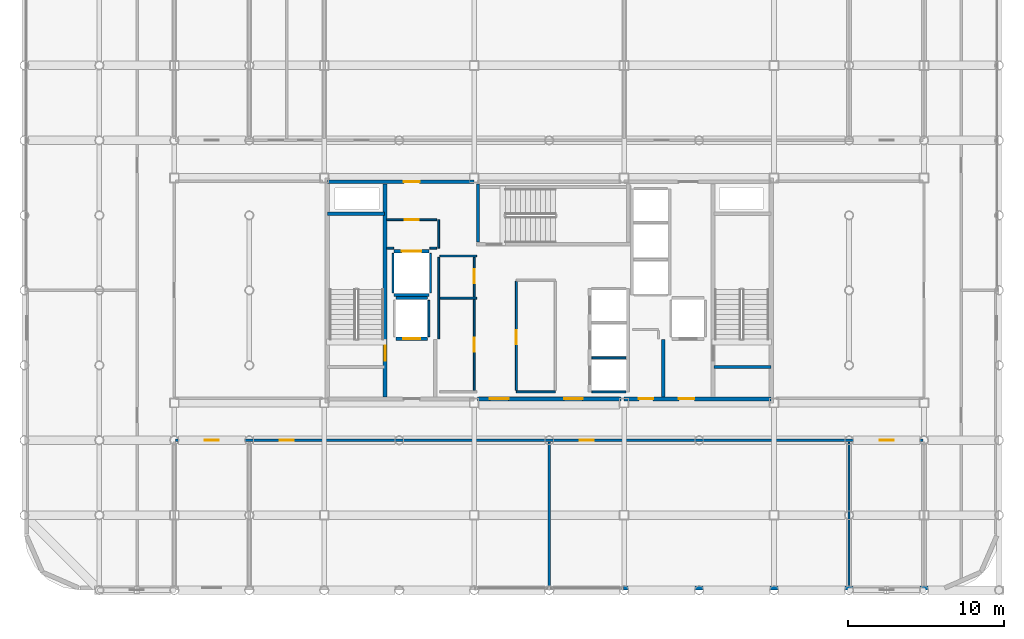
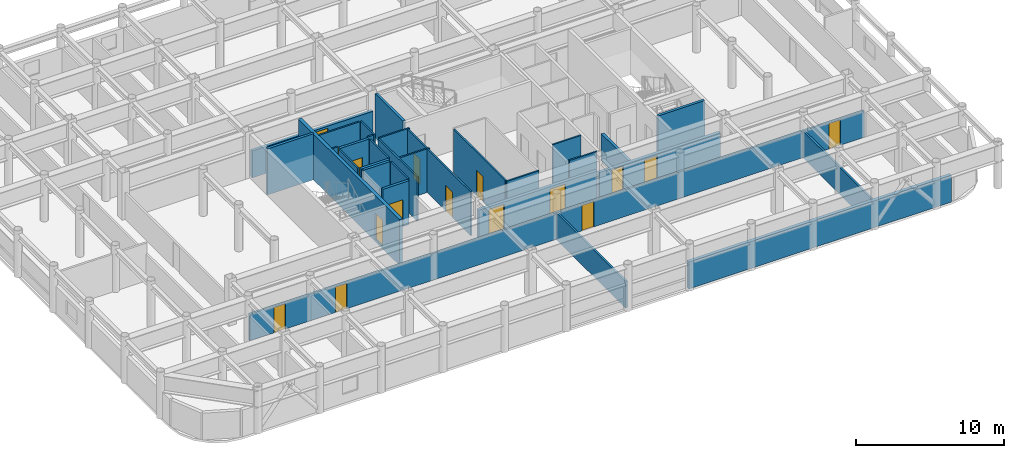
# One storey, part 18 of 21: 31 walls, 16 doors, 16 openings.
"""IFC4 building model written with IfcOpenShell, lengths in metres."""

from ifc_helpers import new_model, si_unit, direction, frame, frame_2d, origin, place, context, subcontext, project, spatial, rectangle, extrude, material, layer, layer_set, type_object, element, fill, save


model = new_model("IFC4")

# Units and contexts
model_context = context("Model", 3, precision=1e-05, world=origin(), true_north=direction((0.0, 1.0)))
body_context = subcontext(model_context, "Body", "Model", "MODEL_VIEW")
ifc_project = project(units=[si_unit("LENGTHUNIT", "METRE"), si_unit("AREAUNIT", "SQUARE_METRE"), si_unit("VOLUMEUNIT", "CUBIC_METRE"), si_unit("PLANEANGLEUNIT", "RADIAN"), si_unit("MASSUNIT", "GRAM", prefix="KILO")], contexts=[model_context])

# Site, building, storey
site_placement = place(None, origin())
site = spatial("IfcSite", under=ifc_project, at=site_placement, CompositionType="ELEMENT")
building_placement = place(site_placement, origin())
building = spatial("IfcBuilding", under=site, at=building_placement, Name="Kallvorn Hotel Tower", CompositionType="ELEMENT")
storey_placement = place(building_placement, frame((0.0, 0.0, 272.35009765625)))
storey = spatial("IfcBuildingStorey", under=building, at=storey_placement, Name="L68", CompositionType="ELEMENT", Elevation=272.35009765625)

# Walls
ifc_material_1 = material(Name="Precast basalt-clad insulated concrete wall C40/50", Category="masonry")
ifc_layer_1 = layer(ifc_material_1, 0.280029296875)
ifc_layer_set_1 = layer_set([ifc_layer_1], Name="WL_EXT_LOGGIA_280")
wall_type_1 = type_object("IfcWallType", Name="WL_EXT_LOGGIA_280", PredefinedType="SOLIDWALL", material=ifc_layer_set_1)
wall_1_placement = place(storey_placement, frame((4.75, -19.06005859375, 0.0), z_axis=(0.0, 0.0, 1.0), x_axis=(1.0, 0.0, 0.0)))
element("IfcWall", 1, at=wall_1_placement, inside=storey, type_object=wall_type_1, Name="L68 Exterior Envelope Wall EW-L68-SE", PredefinedType="SOLIDWALL", context=body_context, shape_type="SweptSolid", body=[
    extrude(rectangle(XDim=20.449951171875, YDim=0.280029296875, at=frame_2d((10.22509765625, 0.0))), origin(), (0.0, 0.0, 1.0), 2.199951171875),
])
ifc_material_2 = material(Name="Concrete C40/50", Category="concrete")
ifc_layer_2 = layer(ifc_material_2, 0.219970703125)
ifc_layer_set_2 = layer_set([ifc_layer_2], Name="WL_FFL_220")
wall_type_2 = type_object("IfcWallType", Name="WL_FFL_220", PredefinedType="SOLIDWALL", material=ifc_layer_set_2)
wall_2_placement = place(storey_placement, frame((7.300048828125, -6.820068359375, 0.0), z_axis=(0.0, 0.0, 1.0), x_axis=(0.0, 1.0, 0.0)))
element("IfcWall", 2, at=wall_2_placement, inside=storey, type_object=wall_type_2, Name="L68 Firefighting Lobby East Divider Wall", PredefinedType="SOLIDWALL", context=body_context, shape_type="SweptSolid", body=[
    extrude(rectangle(XDim=3.670166015625, YDim=0.219970703125, at=frame_2d((1.8349609375, 0.0))), origin(), (0.0, 0.0, 1.0), 2.199951171875),
])
ifc_material_3 = material(Name="Concrete C40/50", Category="concrete")
ifc_layer_3 = layer(ifc_material_3, 0.199951171875)
ifc_layer_set_3 = layer_set([ifc_layer_3], Name="WL_HOIST_200")
wall_type_3 = type_object("IfcWallType", Name="WL_HOIST_200", PredefinedType="SOLIDWALL", material=ifc_layer_set_3)
for number, where, z_axis, x_axis, name in (
    (3, (-14.199951171875, 4.89990234375, -0.18017578125), (0.0, 0.0, 1.0), (1.0, 0.0, 0.0), "L68 Stair ST1 North Wall"),
    (4, (10.550048828125, -4.89990234375, -0.18017578125), (0.0, 0.0, 1.0), (1.0, 0.0, 0.0), "L68 Stair ST2 South Wall"),
):
    element("IfcWall", number, at=place(storey_placement, frame(where, z_axis=z_axis, x_axis=x_axis)), inside=storey, type_object=wall_type_3, Name=name, PredefinedType="SOLIDWALL", context=body_context, shape_type="SweptSolid", body=[
        extrude(rectangle(XDim=3.64990234375, YDim=0.199951171875, at=frame_2d((1.824951171875, 0.0))), origin(), (0.0, 0.0, 1.0), 3.780029296875),
    ])
wall_3_placement = place(storey_placement, frame((-4.550048828125, 3.080078125, -0.18017578125), z_axis=(0.0, 0.0, 1.0), x_axis=(0.0, 1.0, 0.0)))
element("IfcWall", 5, at=wall_3_placement, inside=storey, type_object=wall_type_3, Name="L68 Stair ST3 West Wall", PredefinedType="SOLIDWALL", context=body_context, shape_type="SweptSolid", body=[
    extrude(rectangle(XDim=3.739990234375, YDim=0.199951171875, at=frame_2d((1.8701171875, 0.0))), origin(), (0.0, 0.0, 1.0), 3.780029296875),
])

# Wall, opening, door
wall_4_placement = place(storey_placement, frame((-9.820068359375, -3.10009765625, 0.0), z_axis=(0.0, 0.0, 1.0), x_axis=(1.0, 0.0, 0.0)))
wall_4 = element("IfcWall", 6, at=wall_4_placement, inside=storey, type_object=wall_type_3, Name="L68 FL-1 Landing Wall", PredefinedType="SOLIDWALL", context=body_context, shape_type="SweptSolid", body=[
    extrude(rectangle(XDim=2.0400390625, YDim=0.199951171875, at=frame_2d((1.02001953125, 0.0))), origin(), (0.0, 0.0, 1.0), 3.599853515625),
])
opening_1_placement = place(wall_4_placement, frame((0.469970703125, 0.0, 0.0)))
opening_1 = element("IfcOpeningElement", 7, at=opening_1_placement, cuts=wall_4, Name="Opening LD-FL-1", PredefinedType="OPENING", context=body_context, shape_type="SweptSolid", body=[
    extrude(rectangle(XDim=1.10009765625, YDim=2.199951171875, at=frame_2d((0.550048828125, 1.10009765625))), frame((0.0, 0.114990234375, 0.0), z_axis=(0.0, -1.0, 0.0), x_axis=(1.0, 0.0, 0.0)), (0.0, 0.0, 1.0), 0.22998046875),
])
ifc_material_4 = material(Name="Brushed stainless-steel automatic sliding lift landing door", Category="steel")
door_type_1 = type_object("IfcDoorType", Name="LD_PASS_1100x2200", OperationType="SLIDING_TO_LEFT", PredefinedType="DOOR", material=ifc_material_4)
door_1_placement = place(opening_1_placement, origin())
door_1 = element("IfcDoor", 8, at=door_1_placement, inside=storey, type_object=door_type_1, Name="L68 Lift Landing Sliding Door LD-FL-1", OperationType="SLIDING_TO_LEFT", OverallHeight=2.199951171875, OverallWidth=1.10009765625, PredefinedType="DOOR", context=body_context, shape_type="SweptSolid", body=[
    extrude(rectangle(XDim=1.10009765625, YDim=2.199951171875, at=frame_2d((0.550048828125, 1.10009765625))), frame((0.0, 0.02490234375, 0.0), z_axis=(0.0, -1.0, 0.0), x_axis=(1.0, 0.0, 0.0)), (0.0, 0.0, 1.0), 0.050048828125),
])
fill(opening_1, door_1)

# Wall
wall_5_placement = place(storey_placement, frame((-9.820068359375, -0.5, 0.0), z_axis=(0.0, 0.0, 1.0), x_axis=(1.0, 0.0, 0.0)))
element("IfcWall", 9, at=wall_5_placement, inside=storey, type_object=wall_type_3, Name="L68 FL-1 Rear Shaft Wall", PredefinedType="SOLIDWALL", context=body_context, shape_type="SweptSolid", body=[
    extrude(rectangle(XDim=2.0400390625, YDim=0.199951171875, at=frame_2d((1.02001953125, 0.0))), origin(), (0.0, 0.0, 1.0), 3.599853515625),
])

# Wall, opening, door
wall_6_placement = place(storey_placement, frame((-9.919921875, 2.5, 0.0), z_axis=(0.0, 0.0, 1.0), x_axis=(1.0, 0.0, 0.0)))
wall_6 = element("IfcWall", 10, at=wall_6_placement, inside=storey, type_object=wall_type_3, Name="L68 SV-01 Landing Wall", PredefinedType="SOLIDWALL", context=body_context, shape_type="SweptSolid", body=[
    extrude(rectangle(XDim=2.239990234375, YDim=0.199951171875, at=frame_2d((1.1201171875, 0.0))), origin(), (0.0, 0.0, 1.0), 3.599853515625),
])
opening_2_placement = place(wall_6_placement, frame((0.4951171875, 0.0, 0.0)))
opening_2 = element("IfcOpeningElement", 11, at=opening_2_placement, cuts=wall_6, Name="Opening LD-SV-01", PredefinedType="OPENING", context=body_context, shape_type="SweptSolid", body=[
    extrude(rectangle(XDim=1.25, YDim=2.25, at=frame_2d((0.625, 1.125))), frame((0.0, 0.114990234375, 0.0), z_axis=(0.0, -1.0, 0.0), x_axis=(1.0, 0.0, 0.0)), (0.0, 0.0, 1.0), 0.22998046875),
])
ifc_material_5 = material(Name="Brushed stainless-steel automatic sliding lift landing door", Category="steel")
door_type_2 = type_object("IfcDoorType", Name="LD_SERV_1250x2250", OperationType="SLIDING_TO_LEFT", PredefinedType="DOOR", material=ifc_material_5)
door_2_placement = place(opening_2_placement, origin())
door_2 = element("IfcDoor", 12, at=door_2_placement, inside=storey, type_object=door_type_2, Name="L68 Lift Landing Sliding Door LD-SV-01", OperationType="SLIDING_TO_LEFT", OverallHeight=2.25, OverallWidth=1.25, PredefinedType="DOOR", context=body_context, shape_type="SweptSolid", body=[
    extrude(rectangle(XDim=1.25, YDim=2.25, at=frame_2d((0.625, 1.125))), frame((0.0, 0.02490234375, 0.0), z_axis=(0.0, -1.0, 0.0), x_axis=(1.0, 0.0, 0.0)), (0.0, 0.0, 1.0), 0.050048828125),
])
fill(opening_2, door_2)

# Walls
wall_7_placement = place(storey_placement, frame((-9.919921875, -0.300048828125, 0.0), z_axis=(0.0, 0.0, 1.0), x_axis=(1.0, 0.0, 0.0)))
element("IfcWall", 13, at=wall_7_placement, inside=storey, type_object=wall_type_3, Name="L68 SV-01 Rear Shaft Wall", PredefinedType="SOLIDWALL", context=body_context, shape_type="SweptSolid", body=[
    extrude(rectangle(XDim=2.239990234375, YDim=0.199951171875, at=frame_2d((1.1201171875, 0.0))), origin(), (0.0, 0.0, 1.0), 3.599853515625),
])
ifc_material_6 = material(Name="Fire-rated double-layer acoustic gypsum drywall EI 60")
ifc_layer_4 = layer(ifc_material_6, 0.1201171875)
ifc_layer_set_4 = layer_set([ifc_layer_4], Name="WL_INT_120")
wall_type_4 = type_object("IfcWallType", Name="WL_INT_120", PredefinedType="PARTITIONING", material=ifc_layer_set_4)
for number, where, z_axis, x_axis, name in (
    (14, (2.739990234375, -6.5, 0.0), (0.0, 0.0, 1.0), (1.0, 0.0, 0.0), "L68 Lift Bank B3A South Closure Wall"),
    (15, (2.739990234375, -4.324951171875, 0.0), (0.0, 0.0, 1.0), (1.0, 0.0, 0.0), "L68 PL-09 Hoistway Divider"),
):
    element("IfcWall", number, at=place(storey_placement, frame(where, z_axis=z_axis, x_axis=x_axis)), inside=storey, type_object=wall_type_4, Name=name, PredefinedType="PARTITIONING", context=body_context, shape_type="SweptSolid", body=[
        extrude(rectangle(XDim=2.169921875, YDim=0.1201171875, at=frame_2d((1.0849609375, 0.0))), origin(), (0.0, 0.0, 1.0), 3.599853515625),
    ])
wall_8_placement = place(storey_placement, frame((-7.699951171875, -2.9599609375, 0.0), z_axis=(0.0, 0.0, 1.0), x_axis=(0.0, 1.0, 0.0)))
element("IfcWall", 16, at=wall_8_placement, inside=storey, type_object=wall_type_4, Name="L68 FL-1 East Shaft Wall", PredefinedType="PARTITIONING", context=body_context, shape_type="SweptSolid", body=[
    extrude(rectangle(XDim=2.320068359375, YDim=0.1201171875, at=frame_2d((1.16015625, 0.0))), origin(), (0.0, 0.0, 1.0), 3.599853515625),
])
for number, where, z_axis, x_axis, name in (
    (17, (-10.0, -0.159912109375, 0.0), (0.0, 0.0, 1.0), (0.0, 1.0, 0.0), "L68 SV-01 West Shaft Wall"),
    (18, (-7.60009765625, -0.159912109375, 0.0), (0.0, 0.0, 1.0), (0.0, 1.0, 0.0), "L68 SV-01 East Shaft Wall"),
):
    element("IfcWall", number, at=place(storey_placement, frame(where, z_axis=z_axis, x_axis=x_axis)), inside=storey, type_object=wall_type_4, Name=name, PredefinedType="PARTITIONING", context=body_context, shape_type="SweptSolid", body=[
        extrude(rectangle(XDim=2.52001953125, YDim=0.1201171875, at=frame_2d((1.260009765625, 0.0))), origin(), (0.0, 0.0, 1.0), 3.599853515625),
    ])
wall_9_placement = place(storey_placement, frame((-2.10009765625, -6.5, 0.0), z_axis=(0.0, 0.0, 1.0), x_axis=(1.0, 0.0, 0.0)))
element("IfcWall", 19, at=wall_9_placement, inside=storey, type_object=wall_type_4, Name="L68 High-Zone IT and Tableware Reserve Room Partition", PredefinedType="PARTITIONING", context=body_context, shape_type="SweptSolid", body=[
    extrude(rectangle(XDim=2.5, YDim=0.1201171875, at=frame_2d((1.25, 0.0))), origin(), (0.0, 0.0, 1.0), 3.599853515625),
])
for number, where, z_axis, x_axis, name in (
    (20, (-7.0, -0.5, 0.0), (0.0, 0.0, 1.0), (1.0, 0.0, 0.0), "L68 Recaptured Full-Depth Sommelier Store Partition"),
    (21, (-7.0, 2.199951171875, 0.0), (0.0, 0.0, 1.0), (1.0, 0.0, 0.0), "L68 Recaptured Housekeeping Prep Room Partition"),
):
    element("IfcWall", number, at=place(storey_placement, frame(where, z_axis=z_axis, x_axis=x_axis)), inside=storey, type_object=wall_type_4, Name=name, PredefinedType="PARTITIONING", context=body_context, shape_type="SweptSolid", body=[
        extrude(rectangle(XDim=2.35009765625, YDim=0.1201171875, at=frame_2d((1.175048828125, 0.0))), origin(), (0.0, 0.0, 1.0), 3.599853515625),
    ])
for number, where, z_axis, x_axis, name in (
    (22, (-10.39990234375, 2.699951171875, 0.0), (0.0, 0.0, 1.0), (1.0, 0.0, 0.0), "L68 Core Telecom and Metering Store Partition"),
    (23, (-7.639892578125, 2.699951171875, 0.0), (0.0, 0.0, 1.0), (1.0, 0.0, 0.0), "L68 Core Telecom and Metering Store Partition"),
):
    element("IfcWall", number, at=place(storey_placement, frame(where, z_axis=z_axis, x_axis=x_axis)), inside=storey, type_object=wall_type_4, Name=name, PredefinedType="PARTITIONING", context=body_context, shape_type="SweptSolid", body=[
        extrude(rectangle(XDim=0.43994140625, YDim=0.1201171875, at=frame_2d((0.219970703125, 0.0))), origin(), (0.0, 0.0, 1.0), 3.599853515625),
    ])

# Wall, opening, door
wall_10_placement = place(storey_placement, frame((-10.39990234375, 4.52001953125, 0.0), z_axis=(0.0, 0.0, 1.0), x_axis=(1.0, 0.0, 0.0)))
wall_10 = element("IfcWall", 24, at=wall_10_placement, inside=storey, type_object=wall_type_4, Name="L68 Core Telecom and Metering Store Partition", PredefinedType="PARTITIONING", context=body_context, shape_type="SweptSolid", body=[
    extrude(rectangle(XDim=3.199951171875, YDim=0.1201171875, at=frame_2d((1.60009765625, 0.0))), origin(), (0.0, 0.0, 1.0), 3.599853515625),
])
opening_3_placement = place(wall_10_placement, frame((1.14990234375, 0.0, 0.0)))
opening_3 = element("IfcOpeningElement", 25, at=opening_3_placement, cuts=wall_10, Name="Opening SVD1", PredefinedType="OPENING", context=body_context, shape_type="SweptSolid", body=[
    extrude(rectangle(XDim=0.89990234375, YDim=2.10009765625, at=frame_2d((0.449951171875, 1.050048828125))), frame((0.0, 0.074951171875, 0.0), z_axis=(0.0, -1.0, 0.0), x_axis=(1.0, 0.0, 0.0)), (0.0, 0.0, 1.0), 0.150146484375),
])
ifc_material_7 = material(Name="Galvanised painted steel fire-rated door assembly", Category="steel")
door_type_3 = type_object("IfcDoorType", Name="DR_SERV_900x2100", OperationType="NOTDEFINED", PredefinedType="DOOR", material=ifc_material_7)
door_3_placement = place(opening_3_placement, origin())
door_3 = element("IfcDoor", 26, at=door_3_placement, inside=storey, type_object=door_type_3, Name="L68 Core Telecom and Metering Store Door", OperationType="SINGLE_SWING_LEFT", OverallHeight=2.10009765625, OverallWidth=0.89990234375, PredefinedType="DOOR", context=body_context, shape_type="SweptSolid", body=[
    extrude(rectangle(XDim=0.89990234375, YDim=2.10009765625, at=frame_2d((0.449951171875, 1.050048828125))), frame((0.0, 0.02490234375, 0.0), z_axis=(0.0, -1.0, 0.0), x_axis=(1.0, 0.0, 0.0)), (0.0, 0.0, 1.0), 0.050048828125),
])
fill(opening_3, door_3)

# Walls
wall_11_placement = place(storey_placement, frame((-7.066650390625, -3.110107421875, 0.0), z_axis=(0.0, 0.0, 1.0), x_axis=(0.0, 1.0, 0.0)))
element("IfcWall", 27, at=wall_11_placement, inside=storey, type_object=wall_type_4, Name="L68 Recaptured Full-Depth Sommelier Store Partition", PredefinedType="PARTITIONING", context=body_context, shape_type="SweptSolid", body=[
    extrude(rectangle(XDim=5.22509765625, YDim=0.1201171875, at=frame_2d((2.612548828125, 0.0))), origin(), (0.0, 0.0, 1.0), 3.599853515625),
])
wall_12_placement = place(storey_placement, frame((-7.066650390625, 2.699951171875, 0.0), z_axis=(0.0, 0.0, 1.0), x_axis=(0.0, 1.0, 0.0)))
element("IfcWall", 28, at=wall_12_placement, inside=storey, type_object=wall_type_4, Name="L68 Core Telecom and Metering Store Partition", PredefinedType="PARTITIONING", context=body_context, shape_type="SweptSolid", body=[
    extrude(rectangle(XDim=1.820068359375, YDim=0.1201171875, at=frame_2d((0.91015625, 0.0))), origin(), (0.0, 0.0, 1.0), 3.599853515625),
])

# Wall, openings, doors
wall_13_placement = place(storey_placement, frame((-4.800048828125, -6.4150390625, 0.0), z_axis=(0.0, 0.0, 1.0), x_axis=(0.0, 1.0, 0.0)))
wall_13 = element("IfcWall", 29, at=wall_13_placement, inside=storey, type_object=wall_type_4, Name="L68 Recaptured Full-Depth Sommelier Store Partition", PredefinedType="PARTITIONING", context=body_context, shape_type="SweptSolid", body=[
    extrude(rectangle(XDim=8.530029296875, YDim=0.1201171875, at=frame_2d((4.26513671875, 0.0))), origin(), (0.0, 0.0, 1.0), 3.599853515625),
])
opening_4_placement = place(wall_13_placement, frame((2.465087890625, 0.0, 0.0)))
opening_4 = element("IfcOpeningElement", 30, at=opening_4_placement, cuts=wall_13, Name="Opening SVD1", PredefinedType="OPENING", context=body_context, shape_type="SweptSolid", body=[
    extrude(rectangle(XDim=0.89990234375, YDim=2.10009765625, at=frame_2d((0.449951171875, 1.050048828125))), frame((0.0, 0.074951171875, 0.0), z_axis=(0.0, -1.0, 0.0), x_axis=(1.0, 0.0, 0.0)), (0.0, 0.0, 1.0), 0.150146484375),
])
opening_5_placement = place(wall_13_placement, frame((6.864990234375, 0.0, 0.0)))
opening_5 = element("IfcOpeningElement", 31, at=opening_5_placement, cuts=wall_13, Name="Opening SVD1", PredefinedType="OPENING", context=body_context, shape_type="SweptSolid", body=[
    extrude(rectangle(XDim=0.89990234375, YDim=2.10009765625, at=frame_2d((0.449951171875, 1.050048828125))), frame((0.0, 0.074951171875, 0.0), z_axis=(0.0, -1.0, 0.0), x_axis=(1.0, 0.0, 0.0)), (0.0, 0.0, 1.0), 0.150146484375),
])
door_4_placement = place(opening_4_placement, origin())
door_4 = element("IfcDoor", 32, at=door_4_placement, inside=storey, type_object=door_type_3, Name="L68 Recaptured Full-Depth Sommelier Store Door", OperationType="SINGLE_SWING_LEFT", OverallHeight=2.10009765625, OverallWidth=0.89990234375, PredefinedType="DOOR", context=body_context, shape_type="SweptSolid", body=[
    extrude(rectangle(XDim=0.89990234375, YDim=2.10009765625, at=frame_2d((0.449951171875, 1.050048828125))), frame((0.0, 0.02490234375, 0.0), z_axis=(0.0, -1.0, 0.0), x_axis=(1.0, 0.0, 0.0)), (0.0, 0.0, 1.0), 0.050048828125),
])
fill(opening_4, door_4)
door_5_placement = place(opening_5_placement, origin())
door_5 = element("IfcDoor", 33, at=door_5_placement, inside=storey, type_object=door_type_3, Name="L68 Recaptured Housekeeping Prep Room Door", OperationType="SINGLE_SWING_RIGHT", OverallHeight=2.10009765625, OverallWidth=0.89990234375, PredefinedType="DOOR", context=body_context, shape_type="SweptSolid", body=[
    extrude(rectangle(XDim=0.89990234375, YDim=2.10009765625, at=frame_2d((0.449951171875, 1.050048828125))), frame((0.0, 0.02490234375, 0.0), z_axis=(0.0, -1.0, 0.0), x_axis=(1.0, 0.0, 0.0)), (0.0, 0.0, 1.0), 0.050048828125),
])
fill(opening_5, door_5)

# Wall, opening, door
wall_14_placement = place(storey_placement, frame((-2.10009765625, -6.4150390625, 0.0), z_axis=(0.0, 0.0, 1.0), x_axis=(0.0, 1.0, 0.0)))
wall_14 = element("IfcWall", 34, at=wall_14_placement, inside=storey, type_object=wall_type_4, Name="L68 High-Zone IT and Tableware Reserve Room Partition", PredefinedType="PARTITIONING", context=body_context, shape_type="SweptSolid", body=[
    extrude(rectangle(XDim=6.97998046875, YDim=0.1201171875, at=frame_2d((3.489990234375, 0.0))), origin(), (0.0, 0.0, 1.0), 3.599853515625),
])
opening_6_placement = place(wall_14_placement, frame((2.965087890625, 0.0, 0.0)))
opening_6 = element("IfcOpeningElement", 35, at=opening_6_placement, cuts=wall_14, Name="Opening SVD1", PredefinedType="OPENING", context=body_context, shape_type="SweptSolid", body=[
    extrude(rectangle(XDim=0.89990234375, YDim=2.10009765625, at=frame_2d((0.449951171875, 1.050048828125))), frame((0.0, 0.074951171875, 0.0), z_axis=(0.0, -1.0, 0.0), x_axis=(1.0, 0.0, 0.0)), (0.0, 0.0, 1.0), 0.150146484375),
])
door_6_placement = place(opening_6_placement, origin())
door_6 = element("IfcDoor", 36, at=door_6_placement, inside=storey, type_object=door_type_3, Name="L68 High-Zone IT and Tableware Reserve Room Door", OperationType="SINGLE_SWING_LEFT", OverallHeight=2.10009765625, OverallWidth=0.89990234375, PredefinedType="DOOR", context=body_context, shape_type="SweptSolid", body=[
    extrude(rectangle(XDim=0.89990234375, YDim=2.10009765625, at=frame_2d((0.449951171875, 1.050048828125))), frame((0.0, 0.02490234375, 0.0), z_axis=(0.0, -1.0, 0.0), x_axis=(1.0, 0.0, 0.0)), (0.0, 0.0, 1.0), 0.050048828125),
])
fill(opening_6, door_6)

# Wall, openings, doors
ifc_material_8 = material(Name="Fire-rated double-layer acoustic gypsum drywall EI 60")
ifc_layer_5 = layer(ifc_material_8, 0.14990234375)
ifc_layer_set_5 = layer_set([ifc_layer_5], Name="WL_PART_150")
wall_type_5 = type_object("IfcWallType", Name="WL_PART_150", PredefinedType="PARTITIONING", material=ifc_layer_set_5)
wall_15_placement = place(storey_placement, frame((-23.919921875, -9.60009765625, 0.0), z_axis=(0.0, 0.0, 1.0), x_axis=(1.0, 0.0, 0.0)))
wall_15 = element("IfcWall", 37, at=wall_15_placement, inside=storey, type_object=wall_type_5, Name="L68 L68 High-Zone South-West Tea Bar Partition", PredefinedType="PARTITIONING", context=body_context, shape_type="SweptSolid", body=[
    extrude(rectangle(XDim=47.83984375, YDim=0.14990234375, at=frame_2d((23.919921875, 0.0))), origin(), (0.0, 0.0, 1.0), 2.199951171875),
])
opening_7_placement = place(wall_15_placement, frame((1.8701171875, 0.0, 0.0)))
opening_7 = element("IfcOpeningElement", 38, at=opening_7_placement, cuts=wall_15, Name="Opening SVD1", PredefinedType="OPENING", context=body_context, shape_type="SweptSolid", body=[
    extrude(rectangle(XDim=0.89990234375, YDim=2.10009765625, at=frame_2d((0.449951171875, 1.050048828125))), frame((0.0, 0.08984375, 0.0), z_axis=(0.0, -1.0, 0.0), x_axis=(1.0, 0.0, 0.0)), (0.0, 0.0, 1.0), 0.179931640625),
])
opening_8_placement = place(wall_15_placement, frame((45.070068359375, 0.0, 0.0)))
opening_8 = element("IfcOpeningElement", 39, at=opening_8_placement, cuts=wall_15, Name="Opening SVD1", PredefinedType="OPENING", context=body_context, shape_type="SweptSolid", body=[
    extrude(rectangle(XDim=0.89990234375, YDim=2.10009765625, at=frame_2d((0.449951171875, 1.050048828125))), frame((0.0, 0.08984375, 0.0), z_axis=(0.0, -1.0, 0.0), x_axis=(1.0, 0.0, 0.0)), (0.0, 0.0, 1.0), 0.179931640625),
])
opening_9_placement = place(wall_15_placement, frame((6.669921875, 0.0, 0.0)))
opening_9 = element("IfcOpeningElement", 40, at=opening_9_placement, cuts=wall_15, Name="Opening SVD1", PredefinedType="OPENING", context=body_context, shape_type="SweptSolid", body=[
    extrude(rectangle(XDim=0.89990234375, YDim=2.10009765625, at=frame_2d((0.449951171875, 1.050048828125))), frame((0.0, 0.08984375, 0.0), z_axis=(0.0, -1.0, 0.0), x_axis=(1.0, 0.0, 0.0)), (0.0, 0.0, 1.0), 0.179931640625),
])
opening_10_placement = place(wall_15_placement, frame((25.8701171875, 0.0, 0.0)))
opening_10 = element("IfcOpeningElement", 41, at=opening_10_placement, cuts=wall_15, Name="Opening SVD1", PredefinedType="OPENING", context=body_context, shape_type="SweptSolid", body=[
    extrude(rectangle(XDim=0.89990234375, YDim=2.10009765625, at=frame_2d((0.449951171875, 1.050048828125))), frame((0.0, 0.08984375, 0.0), z_axis=(0.0, -1.0, 0.0), x_axis=(1.0, 0.0, 0.0)), (0.0, 0.0, 1.0), 0.179931640625),
])
door_7_placement = place(opening_7_placement, origin())
door_7 = element("IfcDoor", 42, at=door_7_placement, inside=storey, type_object=door_type_3, Name="L68 L68 High-Zone South-West Tea Bar Door", OperationType="SINGLE_SWING_LEFT", OverallHeight=2.10009765625, OverallWidth=0.89990234375, PredefinedType="DOOR", context=body_context, shape_type="SweptSolid", body=[
    extrude(rectangle(XDim=0.89990234375, YDim=2.10009765625, at=frame_2d((0.449951171875, 1.050048828125))), frame((0.0, 0.02490234375, 0.0), z_axis=(0.0, -1.0, 0.0), x_axis=(1.0, 0.0, 0.0)), (0.0, 0.0, 1.0), 0.050048828125),
])
fill(opening_7, door_7)
door_8_placement = place(opening_8_placement, origin())
door_8 = element("IfcDoor", 43, at=door_8_placement, inside=storey, type_object=door_type_3, Name="L68 L68 High-Zone South-East Wine Bar Door", OperationType="SINGLE_SWING_LEFT", OverallHeight=2.10009765625, OverallWidth=0.89990234375, PredefinedType="DOOR", context=body_context, shape_type="SweptSolid", body=[
    extrude(rectangle(XDim=0.89990234375, YDim=2.10009765625, at=frame_2d((0.449951171875, 1.050048828125))), frame((0.0, 0.02490234375, 0.0), z_axis=(0.0, -1.0, 0.0), x_axis=(1.0, 0.0, 0.0)), (0.0, 0.0, 1.0), 0.050048828125),
])
fill(opening_8, door_8)
door_9_placement = place(opening_9_placement, origin())
door_9 = element("IfcDoor", 44, at=door_9_placement, inside=storey, type_object=door_type_3, Name="L68 L68 Panoramic Club Sky Lounge 1 Door", OperationType="SINGLE_SWING_LEFT", OverallHeight=2.10009765625, OverallWidth=0.89990234375, PredefinedType="DOOR", context=body_context, shape_type="SweptSolid", body=[
    extrude(rectangle(XDim=0.89990234375, YDim=2.10009765625, at=frame_2d((0.449951171875, 1.050048828125))), frame((0.0, 0.02490234375, 0.0), z_axis=(0.0, -1.0, 0.0), x_axis=(1.0, 0.0, 0.0)), (0.0, 0.0, 1.0), 0.050048828125),
])
fill(opening_9, door_9)
door_10_placement = place(opening_10_placement, origin())
door_10 = element("IfcDoor", 45, at=door_10_placement, inside=storey, type_object=door_type_3, Name="L68 L68 Thermal Hydrotherapy Treatment Suite 2 Door", OperationType="SINGLE_SWING_RIGHT", OverallHeight=2.10009765625, OverallWidth=0.89990234375, PredefinedType="DOOR", context=body_context, shape_type="SweptSolid", body=[
    extrude(rectangle(XDim=0.89990234375, YDim=2.10009765625, at=frame_2d((0.449951171875, 1.050048828125))), frame((0.0, 0.02490234375, 0.0), z_axis=(0.0, -1.0, 0.0), x_axis=(1.0, 0.0, 0.0)), (0.0, 0.0, 1.0), 0.050048828125),
])
fill(opening_10, door_10)

# Walls
wall_16_placement = place(storey_placement, frame((0.0, -18.9951171875, 0.0), z_axis=(0.0, 0.0, 1.0), x_axis=(0.0, 1.0, 0.0)))
element("IfcWall", 46, at=wall_16_placement, inside=storey, type_object=wall_type_5, Name="L68 L68 Panoramic Club Sky Lounge 1 Partition", PredefinedType="PARTITIONING", context=body_context, shape_type="SweptSolid", body=[
    extrude(rectangle(XDim=9.275146484375, YDim=0.14990234375, at=frame_2d((4.6376953125, 0.0))), origin(), (0.0, 0.0, 1.0), 2.199951171875),
])
wall_17_placement = place(storey_placement, frame((19.199951171875, -18.909912109375, 0.0), z_axis=(0.0, 0.0, 1.0), x_axis=(0.0, 1.0, 0.0)))
element("IfcWall", 47, at=wall_17_placement, inside=storey, type_object=wall_type_5, Name="L68 L68 High-Zone South-East Wine Bar Partition", PredefinedType="PARTITIONING", context=body_context, shape_type="SweptSolid", body=[
    extrude(rectangle(XDim=9.18994140625, YDim=0.14990234375, at=frame_2d((4.594970703125, 0.0))), origin(), (0.0, 0.0, 1.0), 2.199951171875),
])

# Wall, openings, doors
ifc_material_9 = material(Name="Concrete C40/50", Category="concrete")
ifc_layer_6 = layer(ifc_material_9, 0.25)
ifc_layer_set_6 = layer_set([ifc_layer_6], Name="WL_SHAFT_250")
wall_type_6 = type_object("IfcWallType", Name="WL_SHAFT_250", PredefinedType="SOLIDWALL", material=ifc_layer_set_6)
wall_18_placement = place(storey_placement, frame((-4.60009765625, -6.949951171875, 0.0), z_axis=(0.0, 0.0, 1.0), x_axis=(1.0, 0.0, 0.0)))
wall_18 = element("IfcWall", 48, at=wall_18_placement, inside=storey, type_object=wall_type_6, Name="L68 Core South-Central Wall", PredefinedType="SOLIDWALL", context=body_context, shape_type="SweptSolid", body=[
    extrude(rectangle(XDim=9.2001953125, YDim=0.25, at=frame_2d((4.60009765625, 0.0))), origin(), (0.0, 0.0, 1.0), 2.39990234375),
])
opening_11_placement = place(wall_18_placement, frame((0.800048828125, 0.0, 0.0)))
opening_11 = element("IfcOpeningElement", 49, at=opening_11_placement, cuts=wall_18, Name="Opening FD2", PredefinedType="OPENING", context=body_context, shape_type="SweptSolid", body=[
    extrude(rectangle(XDim=1.199951171875, YDim=2.199951171875, at=frame_2d((0.60009765625, 1.10009765625))), frame((0.0, 0.139892578125, 0.0), z_axis=(0.0, -1.0, 0.0), x_axis=(1.0, 0.0, 0.0)), (0.0, 0.0, 1.0), 0.280029296875),
])
opening_12_placement = place(wall_18_placement, frame((5.550048828125, 0.0, 0.0)))
opening_12 = element("IfcOpeningElement", 50, at=opening_12_placement, cuts=wall_18, Name="Opening FD2", PredefinedType="OPENING", context=body_context, shape_type="SweptSolid", body=[
    extrude(rectangle(XDim=1.199951171875, YDim=2.199951171875, at=frame_2d((0.60009765625, 1.10009765625))), frame((0.0, 0.139892578125, 0.0), z_axis=(0.0, -1.0, 0.0), x_axis=(1.0, 0.0, 0.0)), (0.0, 0.0, 1.0), 0.280029296875),
])
ifc_material_10 = material(Name="Galvanised painted steel fire-rated door assembly", Category="steel")
door_type_4 = type_object("IfcDoorType", Name="DR_LOBBY_1200x2200", OperationType="DOUBLE_DOOR_SINGLE_SWING", PredefinedType="DOOR", material=ifc_material_10)
door_11_placement = place(opening_11_placement, origin())
door_11 = element("IfcDoor", 51, at=door_11_placement, inside=storey, type_object=door_type_4, Name="L68 West Passenger Lift Lobby Door", OperationType="DOUBLE_DOOR_SINGLE_SWING", OverallHeight=2.199951171875, OverallWidth=1.199951171875, PredefinedType="DOOR", context=body_context, shape_type="SweptSolid", body=[
    extrude(rectangle(XDim=1.199951171875, YDim=2.199951171875, at=frame_2d((0.60009765625, 1.10009765625))), frame((0.0, 0.02490234375, 0.0), z_axis=(0.0, -1.0, 0.0), x_axis=(1.0, 0.0, 0.0)), (0.0, 0.0, 1.0), 0.050048828125),
])
fill(opening_11, door_11)
door_12_placement = place(opening_12_placement, origin())
door_12 = element("IfcDoor", 52, at=door_12_placement, inside=storey, type_object=door_type_4, Name="L68 East Passenger Lift Lobby Door", OperationType="DOUBLE_DOOR_SINGLE_SWING", OverallHeight=2.199951171875, OverallWidth=1.199951171875, PredefinedType="DOOR", context=body_context, shape_type="SweptSolid", body=[
    extrude(rectangle(XDim=1.199951171875, YDim=2.199951171875, at=frame_2d((0.60009765625, 1.10009765625))), frame((0.0, 0.02490234375, 0.0), z_axis=(0.0, -1.0, 0.0), x_axis=(1.0, 0.0, 0.0)), (0.0, 0.0, 1.0), 0.050048828125),
])
fill(opening_12, door_12)

wall_19_placement = place(storey_placement, frame((4.800048828125, -6.949951171875, 0.0), z_axis=(0.0, 0.0, 1.0), x_axis=(1.0, 0.0, 0.0)))
wall_19 = element("IfcWall", 53, at=wall_19_placement, inside=storey, type_object=wall_type_6, Name="L68 Core South-East Wall", PredefinedType="SOLIDWALL", context=body_context, shape_type="SweptSolid", body=[
    extrude(rectangle(XDim=9.39990234375, YDim=0.25, at=frame_2d((4.699951171875, 0.0))), origin(), (0.0, 0.0, 1.0), 2.199951171875),
])
opening_13_placement = place(wall_19_placement, frame((3.5, 0.0, 0.0)))
opening_13 = element("IfcOpeningElement", 54, at=opening_13_placement, cuts=wall_19, Name="Opening FD1A", PredefinedType="OPENING", context=body_context, shape_type="SweptSolid", body=[
    extrude(rectangle(XDim=1.0, YDim=2.02001953125, at=frame_2d((0.5, 1.010009765625))), frame((0.0, 0.139892578125, 0.0), z_axis=(0.0, -1.0, 0.0), x_axis=(1.0, 0.0, 0.0)), (0.0, 0.0, 1.0), 0.280029296875),
])
opening_14_placement = place(wall_19_placement, frame((0.949951171875, 0.0, 0.0)))
opening_14 = element("IfcOpeningElement", 55, at=opening_14_placement, cuts=wall_19, Name="Opening SVD1", PredefinedType="OPENING", context=body_context, shape_type="SweptSolid", body=[
    extrude(rectangle(XDim=0.89990234375, YDim=2.10009765625, at=frame_2d((0.449951171875, 1.050048828125))), frame((0.0, 0.139892578125, 0.0), z_axis=(0.0, -1.0, 0.0), x_axis=(1.0, 0.0, 0.0)), (0.0, 0.0, 1.0), 0.280029296875),
])
ifc_material_11 = material(Name="Galvanised painted steel fire-rated door assembly", Category="steel")
door_type_5 = type_object("IfcDoorType", Name="DR_FFL_1000x2020", OperationType="NOTDEFINED", PredefinedType="DOOR", material=ifc_material_11)
door_13_placement = place(opening_13_placement, origin())
door_13 = element("IfcDoor", 56, at=door_13_placement, inside=storey, type_object=door_type_5, Name="L68 Firefighting Lobby East Door", OperationType="SINGLE_SWING_LEFT", OverallHeight=2.02001953125, OverallWidth=1.0, PredefinedType="DOOR", context=body_context, shape_type="SweptSolid", body=[
    extrude(rectangle(XDim=1.0, YDim=2.02001953125, at=frame_2d((0.5, 1.010009765625))), frame((0.0, 0.02490234375, 0.0), z_axis=(0.0, -1.0, 0.0), x_axis=(1.0, 0.0, 0.0)), (0.0, 0.0, 1.0), 0.050048828125),
])
fill(opening_13, door_13)
door_14_placement = place(opening_14_placement, origin())
door_14 = element("IfcDoor", 57, at=door_14_placement, inside=storey, type_object=door_type_3, Name="L68 Core Accessible Staff WC Door", OperationType="SINGLE_SWING_RIGHT", OverallHeight=2.10009765625, OverallWidth=0.89990234375, PredefinedType="DOOR", context=body_context, shape_type="SweptSolid", body=[
    extrude(rectangle(XDim=0.89990234375, YDim=2.10009765625, at=frame_2d((0.449951171875, 1.050048828125))), frame((0.0, 0.02490234375, 0.0), z_axis=(0.0, -1.0, 0.0), x_axis=(1.0, 0.0, 0.0)), (0.0, 0.0, 1.0), 0.050048828125),
])
fill(opening_14, door_14)

# Wall, opening, door
wall_20_placement = place(storey_placement, frame((-14.199951171875, 6.949951171875, 0.0), z_axis=(0.0, 0.0, 1.0), x_axis=(1.0, 0.0, 0.0)))
wall_20 = element("IfcWall", 58, at=wall_20_placement, inside=storey, type_object=wall_type_6, Name="L68 Core North-West Wall", PredefinedType="SOLIDWALL", context=body_context, shape_type="SweptSolid", body=[
    extrude(rectangle(XDim=9.39990234375, YDim=0.25, at=frame_2d((4.699951171875, 0.0))), origin(), (0.0, 0.0, 1.0), 2.199951171875),
])
opening_15_placement = place(wall_20_placement, frame((4.89990234375, 0.0, 0.0)))
opening_15 = element("IfcOpeningElement", 59, at=opening_15_placement, cuts=wall_20, Name="Opening FD1A", PredefinedType="OPENING", context=body_context, shape_type="SweptSolid", body=[
    extrude(rectangle(XDim=1.0, YDim=2.02001953125, at=frame_2d((0.5, 1.010009765625))), frame((0.0, 0.139892578125, 0.0), z_axis=(0.0, -1.0, 0.0), x_axis=(1.0, 0.0, 0.0)), (0.0, 0.0, 1.0), 0.280029296875),
])
door_15_placement = place(opening_15_placement, origin())
door_15 = element("IfcDoor", 60, at=door_15_placement, inside=storey, type_object=door_type_5, Name="L68 Service Lift Lobby Door", OperationType="SINGLE_SWING_RIGHT", OverallHeight=2.02001953125, OverallWidth=1.0, PredefinedType="DOOR", context=body_context, shape_type="SweptSolid", body=[
    extrude(rectangle(XDim=1.0, YDim=2.02001953125, at=frame_2d((0.5, 1.010009765625))), frame((0.0, 0.02490234375, 0.0), z_axis=(0.0, -1.0, 0.0), x_axis=(1.0, 0.0, 0.0)), (0.0, 0.0, 1.0), 0.050048828125),
])
fill(opening_15, door_15)

wall_21_placement = place(storey_placement, frame((-10.5, -6.820068359375, -0.18017578125), z_axis=(0.0, 0.0, 1.0), x_axis=(0.0, 1.0, 0.0)))
wall_21 = element("IfcWall", 61, at=wall_21_placement, inside=storey, type_object=wall_type_6, Name="L68 Stair ST1 Shaft Wall", PredefinedType="SOLIDWALL", context=body_context, shape_type="SweptSolid", body=[
    extrude(rectangle(XDim=13.64013671875, YDim=0.25, at=frame_2d((6.820068359375, 0.0))), origin(), (0.0, 0.0, 1.0), 3.780029296875),
])
opening_16_placement = place(wall_21_placement, frame((2.320068359375, 0.0, 0.179931640625)))
opening_16 = element("IfcOpeningElement", 62, at=opening_16_placement, cuts=wall_21, Name="Opening SD1", PredefinedType="OPENING", context=body_context, shape_type="SweptSolid", body=[
    extrude(rectangle(XDim=0.949951171875, YDim=2.14990234375, at=frame_2d((0.47509765625, 1.074951171875))), frame((0.0, 0.139892578125, 0.0), z_axis=(0.0, -1.0, 0.0), x_axis=(1.0, 0.0, 0.0)), (0.0, 0.0, 1.0), 0.280029296875),
])
ifc_material_12 = material(Name="Galvanised painted steel fire-rated door assembly", Category="steel")
door_type_6 = type_object("IfcDoorType", Name="DR_STAIR_950x2150", OperationType="NOTDEFINED", PredefinedType="DOOR", material=ifc_material_12)
door_16_placement = place(opening_16_placement, origin())
door_16 = element("IfcDoor", 63, at=door_16_placement, inside=storey, type_object=door_type_6, Name="L68 Exit Stair ST1 Fire Door", OperationType="SINGLE_SWING_RIGHT", OverallHeight=2.14990234375, OverallWidth=0.949951171875, PredefinedType="DOOR", context=body_context, shape_type="SweptSolid", body=[
    extrude(rectangle(XDim=0.949951171875, YDim=2.14990234375, at=frame_2d((0.47509765625, 1.074951171875))), frame((0.0, 0.02490234375, 0.0), z_axis=(0.0, -1.0, 0.0), x_axis=(1.0, 0.0, 0.0)), (0.0, 0.0, 1.0), 0.050048828125),
])
fill(opening_16, door_16)

save(model, "model.ifc")
